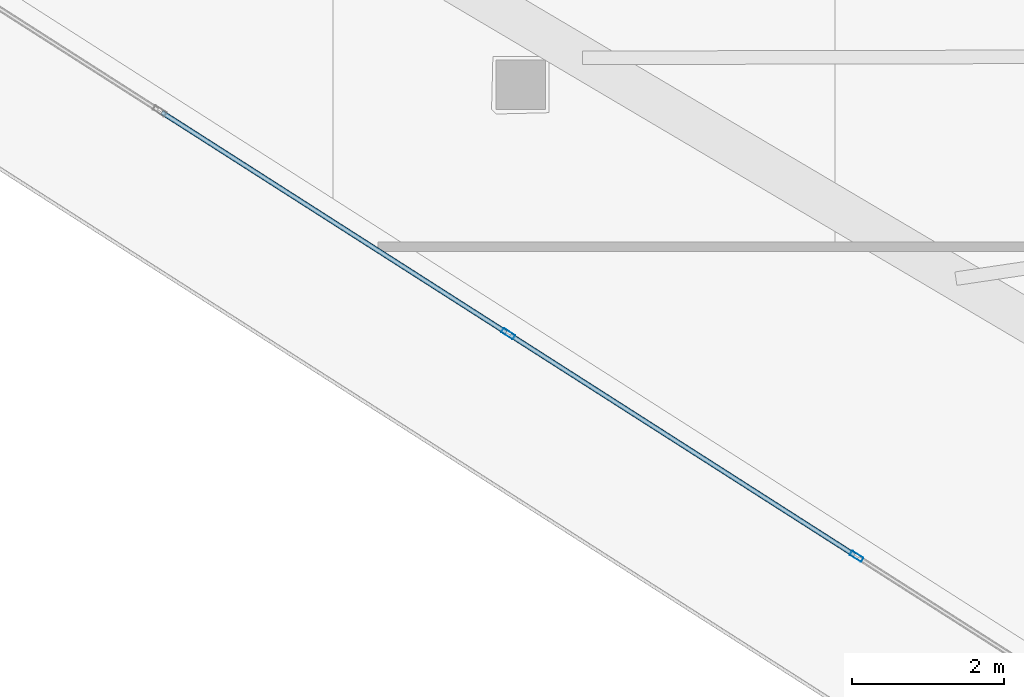
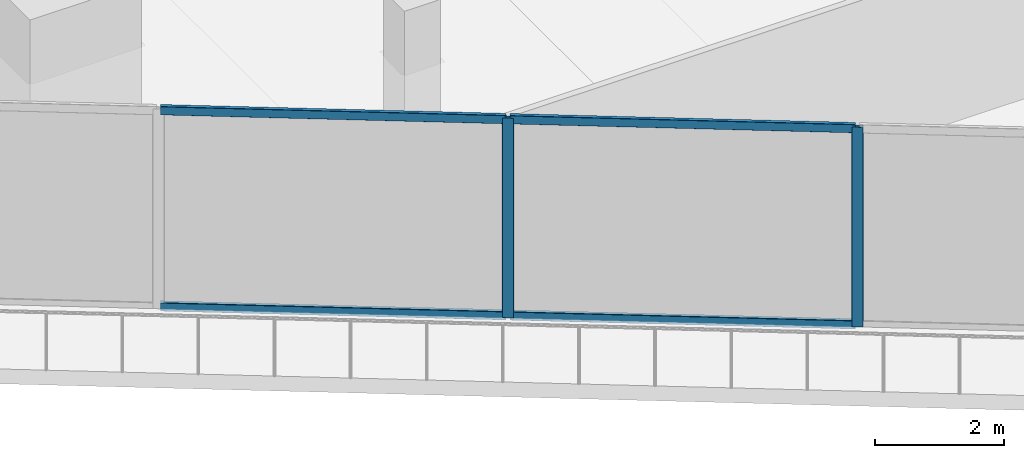
# One storey, part 3 of 35: 6 members, 1 element without a shape of its own.
"""IFC4 building model written with IfcOpenShell, lengths in metres."""

from ifc_helpers import new_model, si_unit, direction, frame, origin, origin_2d, place, context, subcontext, project, spatial, hollow_rectangle, extrude, material, layer, layer_set, material_profile, profile_set, type_object, element, aggregate, save


model = new_model("IFC4")

# Units and contexts
model_context = context("Model", 3, precision=1e-05, world=origin(), true_north=direction((0.0, 1.0)))
body_context = subcontext(model_context, "Body", "Model", "MODEL_VIEW")
ifc_project = project(units=[si_unit("LENGTHUNIT", "METRE"), si_unit("AREAUNIT", "SQUARE_METRE"), si_unit("VOLUMEUNIT", "CUBIC_METRE"), si_unit("PLANEANGLEUNIT", "RADIAN"), si_unit("MASSUNIT", "GRAM", prefix="KILO")], contexts=[model_context])

# Site, building, storey
site_placement = place(None, origin())
site = spatial("IfcSite", under=ifc_project, at=site_placement, CompositionType="ELEMENT")
building_placement = place(site_placement, origin())
building = spatial("IfcBuilding", under=site, at=building_placement, Name="Qorvath Tower", CompositionType="ELEMENT")
storey_placement = place(building_placement, frame((0.0, 0.0, 130.050048828125)))
storey = spatial("IfcBuildingStorey", under=building, at=storey_placement, Name="L29", CompositionType="ELEMENT", Elevation=130.050048828125)

# Curtain wall, members
ifc_material_1 = material(Name="Anodised aluminium and triple low-E glass", Category="aluminium")
ifc_layer = layer(ifc_material_1, 0.179931640625)
ifc_layer_set = layer_set([ifc_layer], Name="CW-SYS-2")
curtain_wall_type = type_object("IfcCurtainWallType", Name="CW-SYS-2", PredefinedType="NOTDEFINED", material=ifc_layer_set)
curtain_wall_placement = place(storey_placement, origin())
curtain_wall = element("IfcCurtainWall", 1, at=curtain_wall_placement, inside=storey, type_object=curtain_wall_type, Name="Curtain Wall CW-2 CW-T-L29-2.1", PredefinedType="NOTDEFINED")
ifc_material_2 = material(Name="Anodised aluminium 6063-T6", Category="aluminium")
ifc_material_profile_1 = material_profile(ifc_material_2, hollow_rectangle(XDim=0.06494140625, YDim=0.179931640625, WallThickness=0.00341796875, InnerFilletRadius=0.00341796875, OuterFilletRadius=0.007080078125, at=origin_2d()), Name="CWM 180x65")
ifc_profile_set_1 = profile_set([ifc_material_profile_1], Name="Anodised aluminium 6063-T6")
member_type_1 = type_object("IfcMemberType", Name="CWM-180", PredefinedType="MULLION", material=ifc_profile_set_1)
member_1_placement = place(storey_placement, frame((-48.7451171875, -9.69287109375, 0.0), z_axis=(0.0, 0.0, 1.0), x_axis=(0.538534177075, 0.842603667285, 0.0)))
member_1 = element("IfcMember", 2, at=member_1_placement, type_object=member_type_1, Name="CW-2 mullion 3", PredefinedType="MULLION", context=body_context, shape_type="SweptSolid", body=[
    extrude(hollow_rectangle(XDim=0.06494140625, YDim=0.179931640625, WallThickness=0.00341796875, InnerFilletRadius=0.00341796875, OuterFilletRadius=0.007080078125, at=origin_2d()), origin(), (0.0, 0.0, 1.0), 3.780029296875),
])
member_2_placement = place(storey_placement, frame((-44.173095703125, -12.614990234375, 0.0), z_axis=(0.0, 0.0, 1.0), x_axis=(0.538534177075, 0.842603667285, 0.0)))
member_2 = element("IfcMember", 3, at=member_2_placement, type_object=member_type_1, Name="CW-2 mullion 4", PredefinedType="MULLION", context=body_context, shape_type="SweptSolid", body=[
    extrude(hollow_rectangle(XDim=0.06494140625, YDim=0.179931640625, WallThickness=0.00341796875, InnerFilletRadius=0.00341796875, OuterFilletRadius=0.007080078125, at=origin_2d()), origin(), (0.0, 0.0, 1.0), 3.780029296875),
])
ifc_material_3 = material(Name="Anodised aluminium 6063-T6", Category="aluminium")
ifc_material_profile_2 = material_profile(ifc_material_3, hollow_rectangle(XDim=0.06494140625, YDim=0.159912109375, WallThickness=0.00341796875, InnerFilletRadius=0.00341796875, OuterFilletRadius=0.007080078125, at=origin_2d()), Name="CWT 160x65")
ifc_profile_set_2 = profile_set([ifc_material_profile_2], Name="Anodised aluminium 6063-T6")
member_type_2 = type_object("IfcMemberType", Name="CWT-160", PredefinedType="USERDEFINED", material=ifc_profile_set_2)
member_3_placement = place(storey_placement, frame((-53.289794921875, -6.788330078125, 0.032470703125), z_axis=(0.842621067422, -0.538506951428, 0.0), x_axis=(0.538506951428, 0.842621067422, 0.0)))
member_3 = element("IfcMember", 4, at=member_3_placement, type_object=member_type_2, Name="CW-2 transom 2.1", ObjectType="TRANSOM", PredefinedType="USERDEFINED", context=body_context, shape_type="SweptSolid", body=[
    extrude(hollow_rectangle(XDim=0.06494140625, YDim=0.159912109375, WallThickness=0.00341796875, InnerFilletRadius=0.00341796875, OuterFilletRadius=0.007080078125, at=origin_2d()), origin(), (0.0, 0.0, 1.0), 5.361083984375),
])
member_4_placement = place(storey_placement, frame((-53.289794921875, -6.788330078125, 3.74755859375), z_axis=(0.842621067422, -0.538506951428, 0.0), x_axis=(0.538506951428, 0.842621067422, 0.0)))
member_4 = element("IfcMember", 5, at=member_4_placement, type_object=member_type_2, Name="CW-2 transom 2.2", ObjectType="TRANSOM", PredefinedType="USERDEFINED", context=body_context, shape_type="SweptSolid", body=[
    extrude(hollow_rectangle(XDim=0.06494140625, YDim=0.159912109375, WallThickness=0.00341796875, InnerFilletRadius=0.00341796875, OuterFilletRadius=0.007080078125, at=origin_2d()), origin(), (0.0, 0.0, 1.0), 5.361083984375),
])
member_5_placement = place(storey_placement, frame((-48.7177734375, -9.71044921875, 0.032470703125), z_axis=(0.842621067422, -0.538506951428, 0.0), x_axis=(0.538506951428, 0.842621067422, 0.0)))
member_5 = element("IfcMember", 6, at=member_5_placement, type_object=member_type_2, Name="CW-2 transom 3.1", ObjectType="TRANSOM", PredefinedType="USERDEFINED", context=body_context, shape_type="SweptSolid", body=[
    extrude(hollow_rectangle(XDim=0.06494140625, YDim=0.159912109375, WallThickness=0.00341796875, InnerFilletRadius=0.00341796875, OuterFilletRadius=0.007080078125, at=origin_2d()), origin(), (0.0, 0.0, 1.0), 5.361083984375),
])
member_6_placement = place(storey_placement, frame((-48.7177734375, -9.71044921875, 3.74755859375), z_axis=(0.842621067422, -0.538506951428, 0.0), x_axis=(0.538506951428, 0.842621067422, 0.0)))
member_6 = element("IfcMember", 7, at=member_6_placement, type_object=member_type_2, Name="CW-2 transom 3.2", ObjectType="TRANSOM", PredefinedType="USERDEFINED", context=body_context, shape_type="SweptSolid", body=[
    extrude(hollow_rectangle(XDim=0.06494140625, YDim=0.159912109375, WallThickness=0.00341796875, InnerFilletRadius=0.00341796875, OuterFilletRadius=0.007080078125, at=origin_2d()), origin(), (0.0, 0.0, 1.0), 5.361083984375),
])
aggregate(curtain_wall, [member_1, member_2, member_3, member_4, member_5, member_6])

save(model, "model.ifc")
